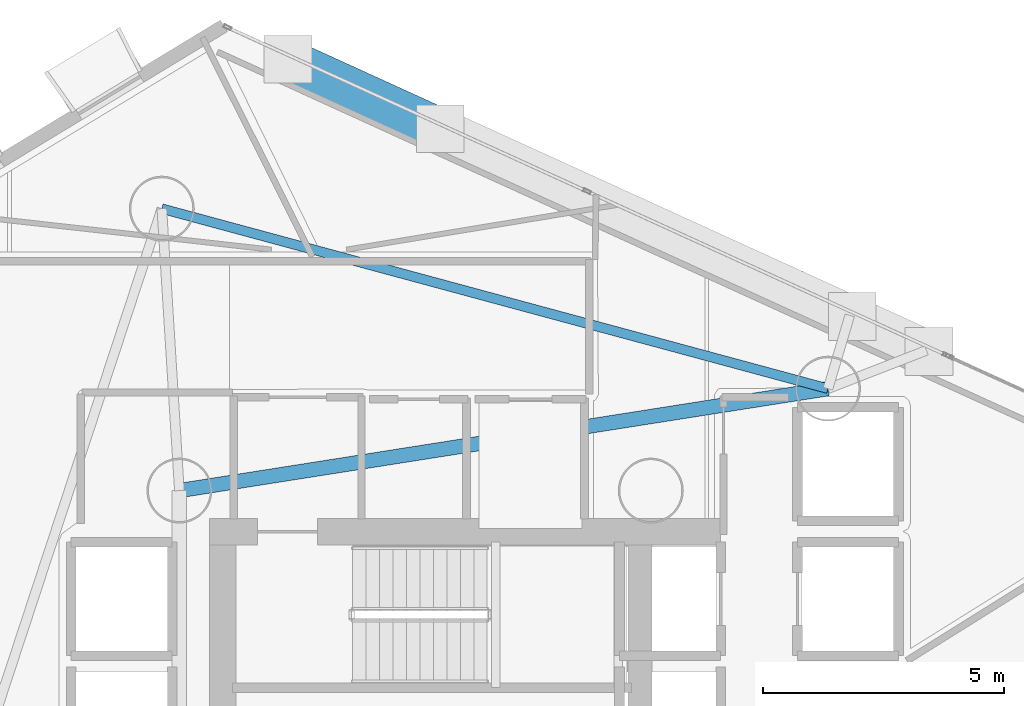
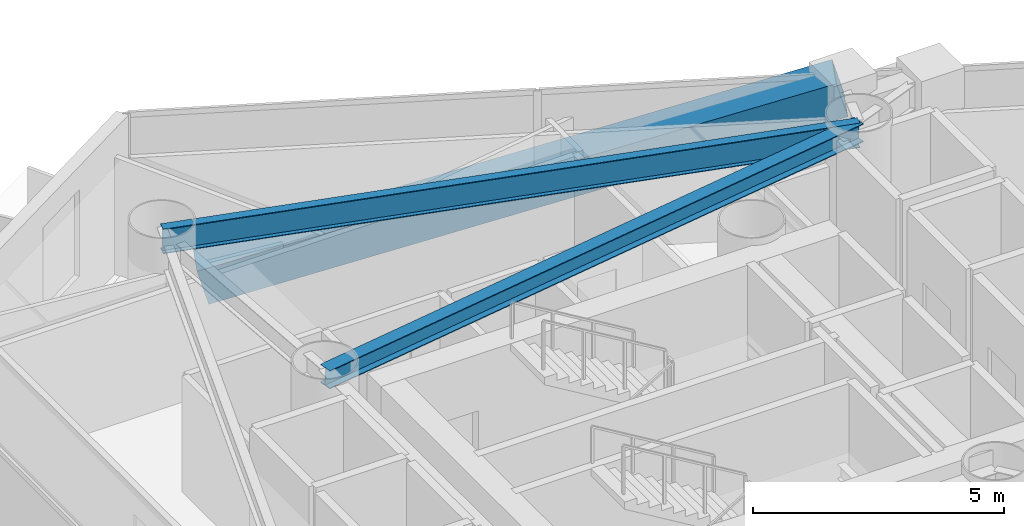
# One storey, part 12 of 23: 2 beams, 1 member.
"""IFC4 building model written with IfcOpenShell, lengths in metres."""

from ifc_helpers import new_model, si_unit, direction, frame, origin, origin_2d, place, context, subcontext, project, spatial, hollow_rectangle, i_section, extrude, material, material_profile, profile_set, type_object, element, save


model = new_model("IFC4")

# Units and contexts
model_context = context("Model", 3, precision=1e-05, world=origin(), true_north=direction((0.0, 1.0)))
body_context = subcontext(model_context, "Body", "Model", "MODEL_VIEW")
ifc_project = project(units=[si_unit("LENGTHUNIT", "METRE"), si_unit("AREAUNIT", "SQUARE_METRE"), si_unit("VOLUMEUNIT", "CUBIC_METRE"), si_unit("PLANEANGLEUNIT", "RADIAN"), si_unit("MASSUNIT", "GRAM", prefix="KILO")], contexts=[model_context])

# Site, building, storey
site_placement = place(None, origin())
site = spatial("IfcSite", under=ifc_project, at=site_placement, CompositionType="ELEMENT")
building_placement = place(site_placement, origin())
building = spatial("IfcBuilding", under=site, at=building_placement, Name="Qianvela Tower", CompositionType="ELEMENT")
storey_placement = place(building_placement, frame((0.0, 0.0, 147.60009765625)))
storey = spatial("IfcBuildingStorey", under=building, at=storey_placement, Name="L37", CompositionType="ELEMENT", Elevation=147.60009765625)

# Beams
ifc_material_1 = material(Name="Steel Q355B", Category="steel")
ifc_material_profile_1 = material_profile(ifc_material_1, i_section(OverallWidth=0.300048828125, OverallDepth=0.43994140625, WebThickness=0.010986328125, FlangeThickness=0.01806640625, at=origin_2d()), Name="HM440x300x11x18")
ifc_profile_set_1 = profile_set([ifc_material_profile_1], Name="Steel Q355B")
beam_type_1 = type_object("IfcBeamType", Name="BM-HM440-COLL", PredefinedType="BEAM", material=ifc_profile_set_1)
beam_1_placement = place(storey_placement, frame((28.60009765625, 33.550048828125, 3.2978515625), z_axis=(0.98787540104, 0.155248806823, 0.0), x_axis=(-0.155248806823, 0.98787540104, 0.0)))
element("IfcBeam", 1, at=beam_1_placement, inside=storey, type_object=beam_type_1, Name="L37 Perimeter Ring Tie Girder 1B", PredefinedType="BEAM", context=body_context, shape_type="SweptSolid", body=[
    extrude(i_section(OverallWidth=0.300048828125, OverallDepth=0.43994140625, WebThickness=0.010986328125, FlangeThickness=0.01806640625, at=origin_2d()), origin(), (0.0, 0.0, 1.0), 13.6484375),
])
ifc_material_2 = material(Name="Steel Q355B", Category="steel")
ifc_material_profile_2 = material_profile(ifc_material_2, i_section(OverallWidth=0.199951171875, OverallDepth=0.60009765625, WebThickness=0.010986328125, FlangeThickness=0.01708984375, at=origin_2d()), Name="HN600x200x11x17")
ifc_profile_set_2 = profile_set([ifc_material_profile_2], Name="Steel Q355B")
beam_type_2 = type_object("IfcBeamType", Name="BM-HN600-GIRD", PredefinedType="BEAM", material=ifc_profile_set_2)
beam_2_placement = place(storey_placement, frame((42.0830078125, 35.6689453125, 3.218017578125), z_axis=(-0.965376252239, 0.260861441407, 0.0), x_axis=(-0.260861441407, -0.965376252239, 0.0)))
element("IfcBeam", 2, at=beam_2_placement, inside=storey, type_object=beam_type_2, Name="L37 Perimeter Ring Spandrel Girder 2", PredefinedType="BEAM", context=body_context, shape_type="SweptSolid", body=[
    extrude(i_section(OverallWidth=0.199951171875, OverallDepth=0.60009765625, WebThickness=0.010986328125, FlangeThickness=0.01708984375, at=origin_2d()), origin(), (0.0, 0.0, 1.0), 14.344482421875),
])

# Member
ifc_material_3 = material(Name="Steel Q420GJC", Category="steel")
ifc_material_profile_3 = material_profile(ifc_material_3, hollow_rectangle(XDim=0.85009765625, YDim=0.85009765625, WallThickness=0.031982421875, at=origin_2d()), Name="MBOX-850x850x32")
ifc_profile_set_3 = profile_set([ifc_material_profile_3], Name="Steel Q420GJC")
member_type = type_object("IfcMemberType", Name="MBR-MBRACE-850", PredefinedType="BRACE", material=ifc_profile_set_3)
member_placement = place(storey_placement, frame((30.90966796875, 42.493896484375, -0.482177734375), z_axis=(0.873962969676, -0.398523884138, 0.278150033985), x_axis=(0.414896686379, 0.909868528762, 0.0)))
element("IfcMember", 3, at=member_placement, inside=storey, type_object=member_type, Name="L37 Tier 6 Exterior Mega-Brace F1B", PredefinedType="BRACE", context=body_context, shape_type="SweptSolid", body=[
    extrude(hollow_rectangle(XDim=0.85009765625, YDim=0.85009765625, WallThickness=0.031982421875, at=origin_2d()), origin(), (0.0, 0.0, 1.0), 13.302978515625),
])

save(model, "model.ifc")
